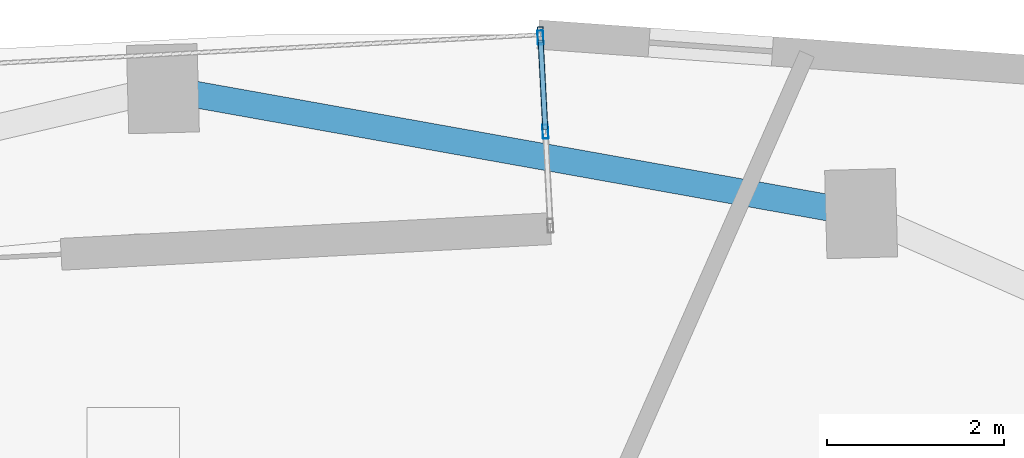
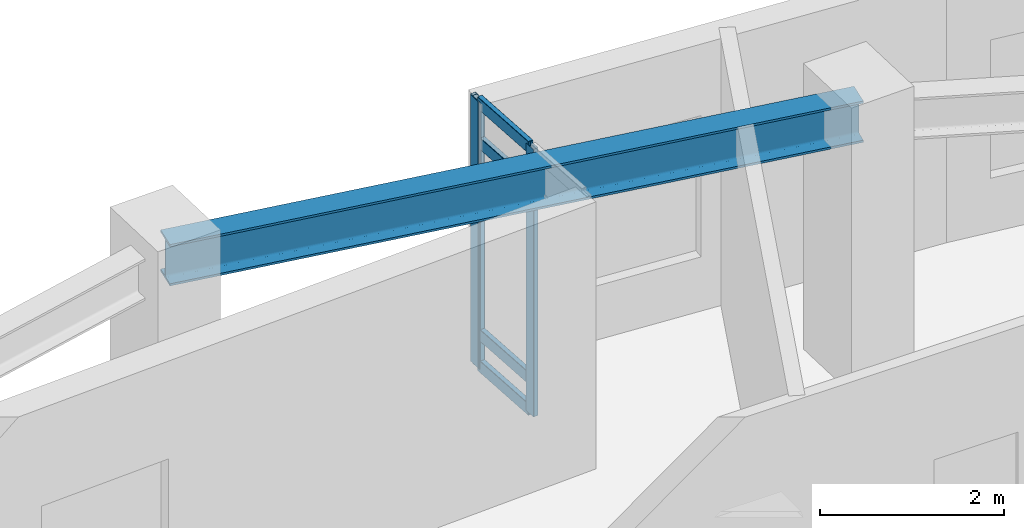
# One storey, part 3 of 11: 7 members, 1 beam, 1 element without a shape of its own.
"""IFC4 building model written with IfcOpenShell, lengths in metres."""

from ifc_helpers import new_model, si_unit, direction, frame, origin, origin_2d, place, context, subcontext, project, spatial, hollow_rectangle, i_section, extrude, material, layer, layer_set, material_profile, profile_set, type_object, element, aggregate, save


model = new_model("IFC4")

# Units and contexts
model_context = context("Model", 3, precision=1e-05, world=origin(), true_north=direction((0.0, 1.0)))
body_context = subcontext(model_context, "Body", "Model", "MODEL_VIEW")
ifc_project = project(units=[si_unit("LENGTHUNIT", "METRE"), si_unit("AREAUNIT", "SQUARE_METRE"), si_unit("VOLUMEUNIT", "CUBIC_METRE"), si_unit("PLANEANGLEUNIT", "RADIAN"), si_unit("MASSUNIT", "GRAM", prefix="KILO")], contexts=[model_context])

# Site, building, storey
site_placement = place(None, origin())
site = spatial("IfcSite", under=ifc_project, at=site_placement, CompositionType="ELEMENT")
building_placement = place(site_placement, origin())
building = spatial("IfcBuilding", under=site, at=building_placement, Name="Ndelora Gate Hotel", CompositionType="ELEMENT")
storey_placement = place(building_placement, frame((0.0, 0.0, 224.550048828125)))
storey = spatial("IfcBuildingStorey", under=building, at=storey_placement, Name="L56", CompositionType="ELEMENT", Elevation=224.550048828125)

# Beam
ifc_material_1 = material(Name="Steel S355", Category="steel")
ifc_material_profile_1 = material_profile(ifc_material_1, i_section(OverallWidth=0.300048828125, OverallDepth=0.550048828125, WebThickness=0.014892578125, FlangeThickness=0.029052734375, FilletRadius=0.027099609375, at=origin_2d()), Name="HEB 550")
ifc_profile_set_1 = profile_set([ifc_material_profile_1], Name="Steel S355")
beam_type = type_object("IfcBeamType", Name="BM-RING-550", PredefinedType="SPANDREL", material=ifc_profile_set_1)
beam_placement = place(storey_placement, frame((7.50830078125, 13.828369140625, 3.27490234375), z_axis=(-0.984373619655, 0.176092523767, 0.0), x_axis=(-0.176092523767, -0.984373619655, 0.0)))
element("IfcBeam", 1, at=beam_placement, inside=storey, type_object=beam_type, Name="L56 Perimeter Spandrel Girder 10", PredefinedType="SPANDREL", context=body_context, shape_type="SweptSolid", body=[
    extrude(i_section(OverallWidth=0.300048828125, OverallDepth=0.550048828125, WebThickness=0.014892578125, FlangeThickness=0.029052734375, FilletRadius=0.027099609375, at=origin_2d()), origin(), (0.0, 0.0, 1.0), 8.032958984375),
])

# Curtain wall, members
ifc_material_2 = material(Name="Bronze Anodised Unitised Aluminium and Low-E Glass", Category="aluminium")
ifc_layer = layer(ifc_material_2, 0.199951171875)
ifc_layer_set = layer_set([ifc_layer], Name="Bronze Anodised Unitised Aluminium and Low-E Glass")
curtain_wall_type = type_object("IfcCurtainWallType", Name="CW-SYS-3", PredefinedType="NOTDEFINED", material=ifc_layer_set)
curtain_wall_placement = place(storey_placement, origin())
curtain_wall = element("IfcCurtainWall", 2, at=curtain_wall_placement, inside=storey, type_object=curtain_wall_type, Name="L56 Sky-Garden Loggia Side Curtain Wall CW3-1", PredefinedType="NOTDEFINED")
ifc_material_3 = material(Name="Bronze Anodised Aluminium 6063-T6", Category="aluminium")
ifc_material_profile_2 = material_profile(ifc_material_3, hollow_rectangle(XDim=0.06494140625, YDim=0.159912109375, WallThickness=0.00390625, InnerFilletRadius=0.00390625, OuterFilletRadius=0.008056640625, at=origin_2d()), Name="ALU 160x65x4")
ifc_profile_set_2 = profile_set([ifc_material_profile_2], Name="Bronze Anodised Aluminium 6063-T6")
member_type_1 = type_object("IfcMemberType", Name="MB-CW-MUL150", PredefinedType="MULLION", material=ifc_profile_set_2)
member_1_placement = place(storey_placement, frame((3.93310546875, 14.756103515625, -0.004150390625), z_axis=(0.0, 0.0, 1.0), x_axis=(-0.998630482257, -0.052317873695, 0.0)))
member_1 = element("IfcMember", 3, at=member_1_placement, type_object=member_type_1, Name="CW3 mullion 2", PredefinedType="MULLION", context=body_context, shape_type="SweptSolid", body=[
    extrude(hollow_rectangle(XDim=0.06494140625, YDim=0.159912109375, WallThickness=0.00390625, InnerFilletRadius=0.00390625, OuterFilletRadius=0.008056640625, at=origin_2d()), origin(), (0.0, 0.0, 1.0), 3.55810546875),
])
member_2_placement = place(storey_placement, frame((3.877197265625, 15.822021484375, -0.004150390625), z_axis=(0.0, 0.0, 1.0), x_axis=(-0.998630482257, -0.052317873695, 0.0)))
member_2 = element("IfcMember", 4, at=member_2_placement, type_object=member_type_1, Name="CW3 mullion 3", PredefinedType="MULLION", context=body_context, shape_type="SweptSolid", body=[
    extrude(hollow_rectangle(XDim=0.06494140625, YDim=0.159912109375, WallThickness=0.00390625, InnerFilletRadius=0.00390625, OuterFilletRadius=0.008056640625, at=origin_2d()), origin(), (0.0, 0.0, 1.0), 3.55810546875),
])
ifc_material_profile_3 = material_profile(ifc_material_3, hollow_rectangle(XDim=0.070068359375, YDim=0.179931640625, WallThickness=0.0048828125, InnerFilletRadius=0.0048828125, OuterFilletRadius=0.010009765625, at=origin_2d()), Name="ALU 180x70x5")
ifc_profile_set_3 = profile_set([ifc_material_profile_3], Name="Bronze Anodised Aluminium 6063-T6")
member_type_2 = type_object("IfcMemberType", Name="MB-CW-MUL180", PredefinedType="MULLION", material=ifc_profile_set_3)
member_3_placement = place(storey_placement, frame((3.87548828125, 15.8544921875, 0.0), z_axis=(0.0, 0.0, 1.0), x_axis=(1.0, 0.0, 0.0)))
member_3 = element("IfcMember", 5, at=member_3_placement, type_object=member_type_2, Name="L56 Sky-Garden Loggia Corner Mullion Post 1", PredefinedType="MULLION", context=body_context, shape_type="SweptSolid", body=[
    extrude(hollow_rectangle(XDim=0.070068359375, YDim=0.179931640625, WallThickness=0.0048828125, InnerFilletRadius=0.0048828125, OuterFilletRadius=0.010009765625, at=origin_2d()), origin(), (0.0, 0.0, 1.0), 3.550048828125),
])
ifc_material_profile_4 = material_profile(ifc_material_3, hollow_rectangle(XDim=0.06494140625, YDim=0.159912109375, WallThickness=0.00390625, InnerFilletRadius=0.00390625, OuterFilletRadius=0.008056640625, at=origin_2d()), Name="ALU 160x65x4")
ifc_profile_set_4 = profile_set([ifc_material_profile_4], Name="Bronze Anodised Aluminium 6063-T6")
member_type_3 = type_object("IfcMemberType", Name="MB-CW-TRN150", PredefinedType="USERDEFINED", material=ifc_profile_set_4)
member_4_placement = place(storey_placement, frame((3.931884765625, 14.782470703125, 0.032470703125), z_axis=(-0.052457793968, 0.998623142057, 0.0), x_axis=(-0.998623142057, -0.052457793968, 0.0)))
member_4 = element("IfcMember", 6, at=member_4_placement, type_object=member_type_3, Name="CW3 transom 2.1", ObjectType="TRANSOM", PredefinedType="USERDEFINED", context=body_context, shape_type="SweptSolid", body=[
    extrude(hollow_rectangle(XDim=0.06494140625, YDim=0.159912109375, WallThickness=0.00390625, InnerFilletRadius=0.00390625, OuterFilletRadius=0.008056640625, at=origin_2d()), origin(), (0.0, 0.0, 1.0), 1.0146484375),
])
member_5_placement = place(storey_placement, frame((3.931884765625, 14.782470703125, 0.449951171875), z_axis=(-0.052457793968, 0.998623142057, 0.0), x_axis=(-0.998623142057, -0.052457793968, 0.0)))
member_5 = element("IfcMember", 7, at=member_5_placement, type_object=member_type_3, Name="CW3 transom 2.2", ObjectType="TRANSOM", PredefinedType="USERDEFINED", context=body_context, shape_type="SweptSolid", body=[
    extrude(hollow_rectangle(XDim=0.06494140625, YDim=0.159912109375, WallThickness=0.00390625, InnerFilletRadius=0.00390625, OuterFilletRadius=0.008056640625, at=origin_2d()), origin(), (0.0, 0.0, 1.0), 1.0146484375),
])
member_6_placement = place(storey_placement, frame((3.931884765625, 14.782470703125, 3.0), z_axis=(-0.052457793968, 0.998623142057, 0.0), x_axis=(-0.998623142057, -0.052457793968, 0.0)))
member_6 = element("IfcMember", 8, at=member_6_placement, type_object=member_type_3, Name="CW3 transom 2.3", ObjectType="TRANSOM", PredefinedType="USERDEFINED", context=body_context, shape_type="SweptSolid", body=[
    extrude(hollow_rectangle(XDim=0.06494140625, YDim=0.159912109375, WallThickness=0.00390625, InnerFilletRadius=0.00390625, OuterFilletRadius=0.008056640625, at=origin_2d()), origin(), (0.0, 0.0, 1.0), 1.0146484375),
])
member_7_placement = place(storey_placement, frame((3.931884765625, 14.782470703125, 3.517333984375), z_axis=(-0.052457793968, 0.998623142057, 0.0), x_axis=(-0.998623142057, -0.052457793968, 0.0)))
member_7 = element("IfcMember", 9, at=member_7_placement, type_object=member_type_3, Name="CW3 transom 2.4", ObjectType="TRANSOM", PredefinedType="USERDEFINED", context=body_context, shape_type="SweptSolid", body=[
    extrude(hollow_rectangle(XDim=0.06494140625, YDim=0.159912109375, WallThickness=0.00390625, InnerFilletRadius=0.00390625, OuterFilletRadius=0.008056640625, at=origin_2d()), origin(), (0.0, 0.0, 1.0), 1.0146484375),
])
aggregate(curtain_wall, [member_1, member_2, member_4, member_5, member_6, member_7, member_3])

save(model, "model.ifc")
